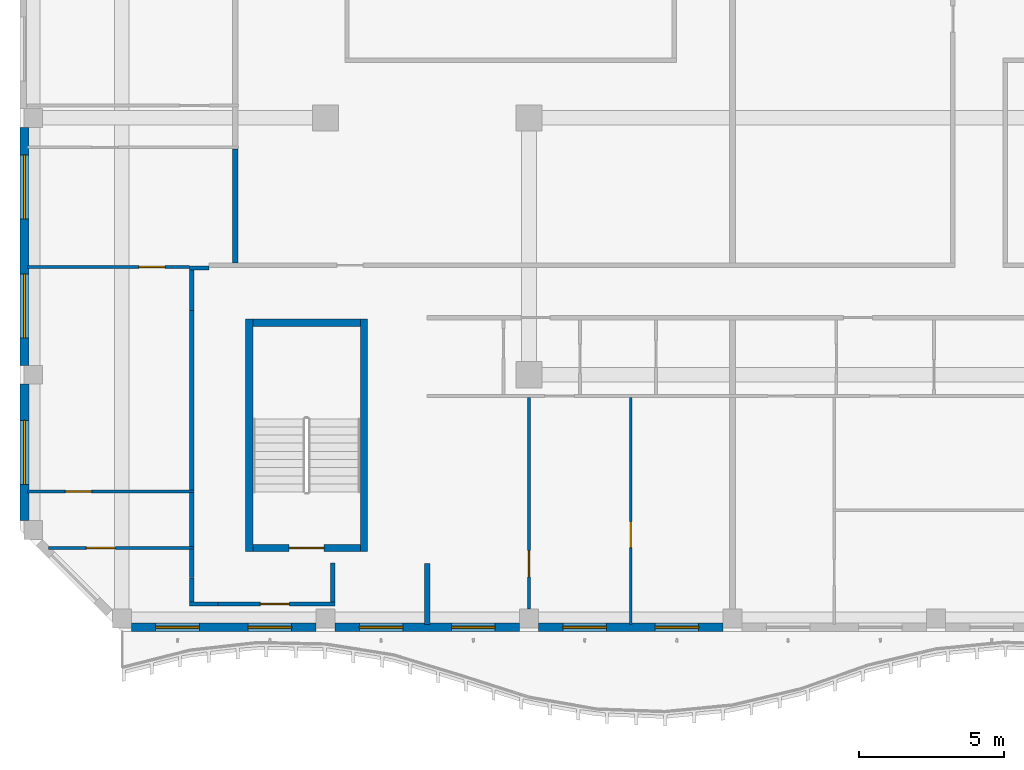
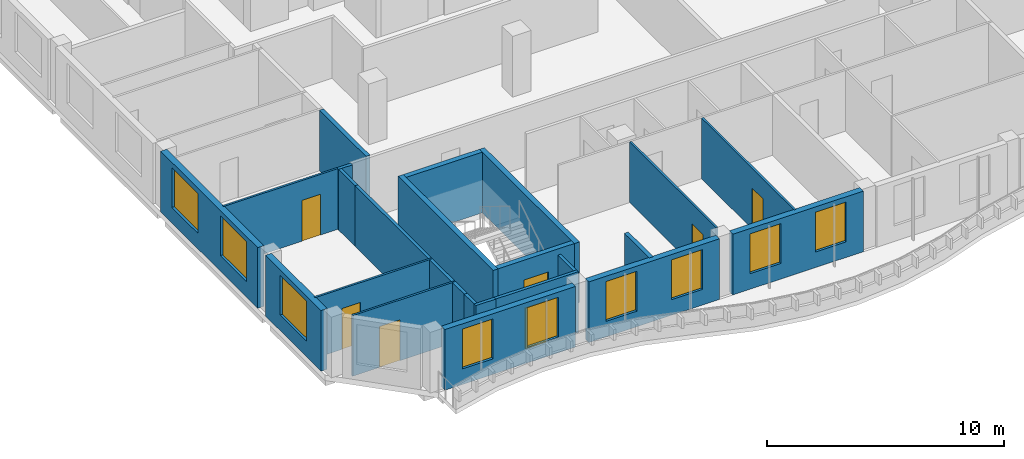
# One storey, part 2 of 16: 25 walls, 9 windows, 7 doors, 16 openings.
"""IFC4 building model written with IfcOpenShell, lengths in metres."""

from ifc_helpers import new_model, si_unit, direction, frame, frame_2d, origin, place, context, subcontext, project, spatial, rectangle, extrude, source, transform, mapped, material, layer, layer_set, type_object, element, fill, save


model = new_model("IFC4")

# Units and contexts
model_context = context("Model", 3, precision=1e-05, world=origin(), true_north=direction((0.0, 1.0)))
body_context = subcontext(model_context, "Body", "Model", "MODEL_VIEW")
ifc_project = project(units=[si_unit("LENGTHUNIT", "METRE"), si_unit("AREAUNIT", "SQUARE_METRE"), si_unit("VOLUMEUNIT", "CUBIC_METRE"), si_unit("PLANEANGLEUNIT", "RADIAN"), si_unit("MASSUNIT", "GRAM", prefix="KILO")], contexts=[model_context])

# Site, building, storey
site_placement = place(None, origin())
site = spatial("IfcSite", under=ifc_project, at=site_placement, CompositionType="ELEMENT")
building_placement = place(site_placement, origin())
building = spatial("IfcBuilding", under=site, at=building_placement, Name="Kilnfold Tower and Market Hall", CompositionType="ELEMENT")
storey_placement = place(building_placement, frame((0.0, 0.0, 284.0)))
storey = spatial("IfcBuildingStorey", under=building, at=storey_placement, Name="L70", CompositionType="ELEMENT", Elevation=284.0)

# Wall
ifc_material_1 = material(Name="Gypsum board on steel studs", Category="steel")
ifc_layer_1 = layer(ifc_material_1, 0.14990234375)
ifc_layer_set_1 = layer_set([ifc_layer_1], Name="Gypsum board on steel studs")
wall_type_1 = type_object("IfcWallType", Name="WALL CORRIDOR 150", PredefinedType="PARTITIONING", material=ifc_layer_set_1)
wall_1_placement = place(storey_placement, frame((-14.75, -17.47509765625, 0.0), z_axis=(0.0, 0.0, 1.0), x_axis=(0.0, 1.0, 0.0)))
element("IfcWall", 1, at=wall_1_placement, inside=storey, type_object=wall_type_1, Name="Partition LY42.1", PredefinedType="PARTITIONING", context=body_context, shape_type="SweptSolid", body=[
    extrude(rectangle(XDim=1.335205078125, YDim=0.14990234375, at=frame_2d((0.66748046875, 0.0))), origin(), (0.0, 0.0, 1.0), 3.1201171875),
])

# Wall, opening, door
wall_2_placement = place(storey_placement, frame((-18.697998046875, -17.550048828125, 0.0), z_axis=(0.0, 0.0, 1.0), x_axis=(1.0, 0.0, 0.0)))
wall_2 = element("IfcWall", 2, at=wall_2_placement, inside=storey, type_object=wall_type_1, Name="Partition LY42.2", PredefinedType="PARTITIONING", context=body_context, shape_type="SweptSolid", body=[
    extrude(rectangle(XDim=4.02294921875, YDim=0.14990234375, at=frame_2d((2.011474609375, 0.0))), origin(), (0.0, 0.0, 1.0), 3.1201171875),
])
opening_1_placement = place(wall_2_placement, frame((1.4599609375, 0.0, 0.0)))
opening_1 = element("IfcOpeningElement", 3, at=opening_1_placement, cuts=wall_2, Name="Opening D1", PredefinedType="OPENING", context=body_context, shape_type="SweptSolid", body=[
    extrude(rectangle(XDim=1.0, YDim=2.10009765625, at=frame_2d((0.5, 1.050048828125))), frame((0.0, 0.0849609375, 0.0), z_axis=(0.0, -1.0, 0.0), x_axis=(1.0, 0.0, 0.0)), (0.0, 0.0, 1.0), 0.169921875),
])
ifc_material_2 = material(Name="Timber veneer door leaf in steel frame", Category="steel")
door_type_1 = type_object("IfcDoorType", Name="DOOR ENTRY 1000 X2100", OperationType="NOTDEFINED", PredefinedType="DOOR", material=ifc_material_2)
door_1_placement = place(opening_1_placement, origin())
door_1 = element("IfcDoor", 4, at=door_1_placement, inside=storey, type_object=door_type_1, Name="Door D1", OperationType="SINGLE_SWING_RIGHT", OverallHeight=2.10009765625, OverallWidth=1.0, PredefinedType="DOOR", context=body_context, shape_type="SweptSolid", body=[
    extrude(rectangle(XDim=1.0, YDim=2.10009765625, at=frame_2d((0.5, 1.050048828125))), frame((0.0, 0.02490234375, 0.0), z_axis=(0.0, -1.0, 0.0), x_axis=(1.0, 0.0, 0.0)), (0.0, 0.0, 1.0), 0.050048828125),
])
fill(opening_1, door_1)

# Walls
wall_3_placement = place(storey_placement, frame((-19.677001953125, -17.552001953125, 0.0), z_axis=(0.0, 0.0, 1.0), x_axis=(1.0, 0.0, 0.0)))
element("IfcWall", 5, at=wall_3_placement, inside=storey, type_object=wall_type_1, Name="Partition LY42.3", PredefinedType="PARTITIONING", context=body_context, shape_type="SweptSolid", body=[
    extrude(rectangle(XDim=0.97900390625, YDim=0.14990234375, at=frame_2d((0.489501953125, 0.0))), origin(), (0.0, 0.0, 1.0), 3.1201171875),
])
wall_4_placement = place(storey_placement, frame((-19.60205078125, -17.47705078125, 0.0), z_axis=(0.0, 0.0, 1.0), x_axis=(0.0, 1.0, 0.0)))
element("IfcWall", 6, at=wall_4_placement, inside=storey, type_object=wall_type_1, Name="Partition LY42.4", PredefinedType="PARTITIONING", context=body_context, shape_type="SweptSolid", body=[
    extrude(rectangle(XDim=0.8291015625, YDim=0.14990234375, at=frame_2d((0.41455078125, 0.0))), origin(), (0.0, 0.0, 1.0), 3.1201171875),
])
wall_5_placement = place(storey_placement, frame((-19.60009765625, -16.64794921875, 0.0), z_axis=(0.0, 0.0, 1.0), x_axis=(0.0, 1.0, 0.0)))
element("IfcWall", 7, at=wall_5_placement, inside=storey, type_object=wall_type_1, Name="Partition LY42.5", PredefinedType="PARTITIONING", context=body_context, shape_type="SweptSolid", body=[
    extrude(rectangle(XDim=0.989990234375, YDim=0.14990234375, at=frame_2d((0.4951171875, 0.0))), origin(), (0.0, 0.0, 1.0), 3.1201171875),
])
wall_6_placement = place(storey_placement, frame((-19.60009765625, -15.577880859375, 0.0), z_axis=(0.0, 0.0, 1.0), x_axis=(0.0, 1.0, 0.0)))
element("IfcWall", 8, at=wall_6_placement, inside=storey, type_object=wall_type_1, Name="Partition LY42.6", PredefinedType="PARTITIONING", context=body_context, shape_type="SweptSolid", body=[
    extrude(rectangle(XDim=1.85498046875, YDim=0.14990234375, at=frame_2d((0.927490234375, 0.0))), origin(), (0.0, 0.0, 1.0), 3.1201171875),
])
wall_7_placement = place(storey_placement, frame((-19.0, -5.99609375, 0.0), z_axis=(0.0, 0.0, 1.0), x_axis=(-1.0, 0.0, 0.0)))
element("IfcWall", 9, at=wall_7_placement, inside=storey, type_object=wall_type_1, Name="Partition LY42.7", PredefinedType="PARTITIONING", context=body_context, shape_type="SweptSolid", body=[
    extrude(rectangle(XDim=0.677001953125, YDim=0.14990234375, at=frame_2d((0.33837890625, 0.0))), origin(), (0.0, 0.0, 1.0), 3.1201171875),
])
wall_8_placement = place(storey_placement, frame((-19.60009765625, -13.64306640625, 0.0), z_axis=(0.0, 0.0, 1.0), x_axis=(0.0, 1.0, 0.0)))
element("IfcWall", 10, at=wall_8_placement, inside=storey, type_object=wall_type_1, Name="Partition LY42.8", PredefinedType="PARTITIONING", context=body_context, shape_type="SweptSolid", body=[
    extrude(rectangle(XDim=6.191162109375, YDim=0.14990234375, at=frame_2d((3.095703125, 0.0))), origin(), (0.0, 0.0, 1.0), 3.1201171875),
])
wall_9_placement = place(storey_placement, frame((-19.60205078125, -7.451904296875, 0.0), z_axis=(0.0, 0.0, 1.0), x_axis=(0.0, 1.0, 0.0)))
element("IfcWall", 11, at=wall_9_placement, inside=storey, type_object=wall_type_1, Name="Partition LY42.9", PredefinedType="PARTITIONING", context=body_context, shape_type="SweptSolid", body=[
    extrude(rectangle(XDim=1.380859375, YDim=0.14990234375, at=frame_2d((0.6904296875, 0.0))), origin(), (0.0, 0.0, 1.0), 3.1201171875),
])

# Wall, opening, door
ifc_material_3 = material(Name="Gypsum board on steel studs", Category="steel")
ifc_layer_2 = layer(ifc_material_3, 0.10009765625)
ifc_layer_set_2 = layer_set([ifc_layer_2], Name="Gypsum board on steel studs")
wall_type_2 = type_object("IfcWallType", Name="WALL PARTITION 100", PredefinedType="PARTITIONING", material=ifc_layer_set_2)
wall_10_placement = place(storey_placement, frame((-19.527099609375, -15.617919921875, 0.0), z_axis=(0.0, 0.0, 1.0), x_axis=(-1.0, 0.0, 0.0)))
wall_10 = element("IfcWall", 12, at=wall_10_placement, inside=storey, type_object=wall_type_2, Name="Partition LY42.33", PredefinedType="PARTITIONING", context=body_context, shape_type="SweptSolid", body=[
    extrude(rectangle(XDim=5.0009765625, YDim=0.10009765625, at=frame_2d((2.50048828125, 0.0))), origin(), (0.0, 0.0, 1.0), 3.1201171875),
])
opening_2_placement = place(wall_10_placement, frame((2.700927734375, 0.0, 0.0)))
opening_2 = element("IfcOpeningElement", 13, at=opening_2_placement, cuts=wall_10, Name="Opening D1", PredefinedType="OPENING", context=body_context, shape_type="SweptSolid", body=[
    extrude(rectangle(XDim=1.0, YDim=2.10009765625, at=frame_2d((0.5, 1.050048828125))), frame((0.0, 0.06005859375, 0.0), z_axis=(0.0, -1.0, 0.0), x_axis=(1.0, 0.0, 0.0)), (0.0, 0.0, 1.0), 0.1201171875),
])
door_2_placement = place(opening_2_placement, origin())
door_2 = element("IfcDoor", 14, at=door_2_placement, inside=storey, type_object=door_type_1, Name="Door D1", OperationType="SINGLE_SWING_RIGHT", OverallHeight=2.10009765625, OverallWidth=1.0, PredefinedType="DOOR", context=body_context, shape_type="SweptSolid", body=[
    extrude(rectangle(XDim=1.0, YDim=2.10009765625, at=frame_2d((0.5, 1.050048828125))), frame((0.0, 0.02490234375, 0.0), z_axis=(0.0, -1.0, 0.0), x_axis=(1.0, 0.0, 0.0)), (0.0, 0.0, 1.0), 0.050048828125),
])
fill(opening_2, door_2)

wall_11_placement = place(storey_placement, frame((-19.527099609375, -13.68310546875, 0.0), z_axis=(0.0, 0.0, 1.0), x_axis=(-1.0, 0.0, 0.0)))
wall_11 = element("IfcWall", 15, at=wall_11_placement, inside=storey, type_object=wall_type_2, Name="Partition LY42.35", PredefinedType="PARTITIONING", context=body_context, shape_type="SweptSolid", body=[
    extrude(rectangle(XDim=5.722900390625, YDim=0.10009765625, at=frame_2d((2.861328125, 0.0))), origin(), (0.0, 0.0, 1.0), 3.1201171875),
])
opening_3_placement = place(wall_11_placement, frame((3.51708984375, 0.0, 0.0)))
opening_3 = element("IfcOpeningElement", 16, at=opening_3_placement, cuts=wall_11, Name="Opening D2", PredefinedType="OPENING", context=body_context, shape_type="SweptSolid", body=[
    extrude(rectangle(XDim=0.89990234375, YDim=2.10009765625, at=frame_2d((0.449951171875, 1.050048828125))), frame((0.0, 0.06005859375, 0.0), z_axis=(0.0, -1.0, 0.0), x_axis=(1.0, 0.0, 0.0)), (0.0, 0.0, 1.0), 0.1201171875),
])
ifc_material_4 = material(Name="Timber veneer door leaf in steel frame", Category="steel")
door_type_2 = type_object("IfcDoorType", Name="DOOR ROOM 900 X2100", OperationType="NOTDEFINED", PredefinedType="DOOR", material=ifc_material_4)
door_3_placement = place(opening_3_placement, origin())
door_3 = element("IfcDoor", 17, at=door_3_placement, inside=storey, type_object=door_type_2, Name="Door D2", OperationType="SINGLE_SWING_RIGHT", OverallHeight=2.10009765625, OverallWidth=0.89990234375, PredefinedType="DOOR", context=body_context, shape_type="SweptSolid", body=[
    extrude(rectangle(XDim=0.89990234375, YDim=2.10009765625, at=frame_2d((0.449951171875, 1.050048828125))), frame((0.0, 0.02490234375, 0.0), z_axis=(0.0, -1.0, 0.0), x_axis=(1.0, 0.0, 0.0)), (0.0, 0.0, 1.0), 0.050048828125),
])
fill(opening_3, door_3)

wall_12_placement = place(storey_placement, frame((-19.677001953125, -5.9580078125, 0.0), z_axis=(0.0, 0.0, 1.0), x_axis=(-1.0, 0.0, 0.0)))
wall_12 = element("IfcWall", 18, at=wall_12_placement, inside=storey, type_object=wall_type_2, Name="Partition LY42.36", PredefinedType="PARTITIONING", context=body_context, shape_type="SweptSolid", body=[
    extrude(rectangle(XDim=5.572998046875, YDim=0.10009765625, at=frame_2d((2.78662109375, 0.0))), origin(), (0.0, 0.0, 1.0), 3.1201171875),
])
opening_4_placement = place(wall_12_placement, frame((0.837890625, 0.0, 0.0)))
opening_4 = element("IfcOpeningElement", 19, at=opening_4_placement, cuts=wall_12, Name="Opening D2", PredefinedType="OPENING", context=body_context, shape_type="SweptSolid", body=[
    extrude(rectangle(XDim=0.89990234375, YDim=2.10009765625, at=frame_2d((0.449951171875, 1.050048828125))), frame((0.0, 0.06005859375, 0.0), z_axis=(0.0, -1.0, 0.0), x_axis=(1.0, 0.0, 0.0)), (0.0, 0.0, 1.0), 0.1201171875),
])
door_4_placement = place(opening_4_placement, origin())
door_4 = element("IfcDoor", 20, at=door_4_placement, inside=storey, type_object=door_type_2, Name="Door D2", OperationType="SINGLE_SWING_RIGHT", OverallHeight=2.10009765625, OverallWidth=0.89990234375, PredefinedType="DOOR", context=body_context, shape_type="SweptSolid", body=[
    extrude(rectangle(XDim=0.89990234375, YDim=2.10009765625, at=frame_2d((0.449951171875, 1.050048828125))), frame((0.0, 0.02490234375, 0.0), z_axis=(0.0, -1.0, 0.0), x_axis=(1.0, 0.0, 0.0)), (0.0, 0.0, 1.0), 0.050048828125),
])
fill(opening_4, door_4)

wall_13_placement = place(storey_placement, frame((-8.0, -17.72509765625, 0.0), z_axis=(0.0, 0.0, 1.0), x_axis=(0.0, 1.0, 0.0)))
wall_13 = element("IfcWall", 21, at=wall_13_placement, inside=storey, type_object=wall_type_2, Name="Partition LY42.51", PredefinedType="PARTITIONING", context=body_context, shape_type="SweptSolid", body=[
    extrude(rectangle(XDim=7.273193359375, YDim=0.10009765625, at=frame_2d((3.63671875, 0.0))), origin(), (0.0, 0.0, 1.0), 3.1201171875),
])
opening_5_placement = place(wall_13_placement, frame((1.111083984375, 0.0, 0.0)))
opening_5 = element("IfcOpeningElement", 22, at=opening_5_placement, cuts=wall_13, Name="Opening D2", PredefinedType="OPENING", context=body_context, shape_type="SweptSolid", body=[
    extrude(rectangle(XDim=0.89990234375, YDim=2.10009765625, at=frame_2d((0.449951171875, 1.050048828125))), frame((0.0, 0.06005859375, 0.0), z_axis=(0.0, -1.0, 0.0), x_axis=(1.0, 0.0, 0.0)), (0.0, 0.0, 1.0), 0.1201171875),
])
door_5_placement = place(opening_5_placement, origin())
door_5 = element("IfcDoor", 23, at=door_5_placement, inside=storey, type_object=door_type_2, Name="Door D2", OperationType="SINGLE_SWING_LEFT", OverallHeight=2.10009765625, OverallWidth=0.89990234375, PredefinedType="DOOR", context=body_context, shape_type="SweptSolid", body=[
    extrude(rectangle(XDim=0.89990234375, YDim=2.10009765625, at=frame_2d((0.449951171875, 1.050048828125))), frame((0.0, 0.02490234375, 0.0), z_axis=(0.0, -1.0, 0.0), x_axis=(1.0, 0.0, 0.0)), (0.0, 0.0, 1.0), 0.050048828125),
])
fill(opening_5, door_5)

wall_14_placement = place(storey_placement, frame((-4.5, -18.25, 0.0), z_axis=(0.0, 0.0, 1.0), x_axis=(0.0, 1.0, 0.0)))
wall_14 = element("IfcWall", 24, at=wall_14_placement, inside=storey, type_object=wall_type_2, Name="Partition LY42.52", PredefinedType="PARTITIONING", context=body_context, shape_type="SweptSolid", body=[
    extrude(rectangle(XDim=7.798095703125, YDim=0.10009765625, at=frame_2d((3.89892578125, 0.0))), origin(), (0.0, 0.0, 1.0), 3.1201171875),
])
opening_6_placement = place(wall_14_placement, frame((2.636962890625, 0.0, 0.0)))
opening_6 = element("IfcOpeningElement", 25, at=opening_6_placement, cuts=wall_14, Name="Opening D2", PredefinedType="OPENING", context=body_context, shape_type="SweptSolid", body=[
    extrude(rectangle(XDim=0.89990234375, YDim=2.10009765625, at=frame_2d((0.449951171875, 1.050048828125))), frame((0.0, 0.06005859375, 0.0), z_axis=(0.0, -1.0, 0.0), x_axis=(1.0, 0.0, 0.0)), (0.0, 0.0, 1.0), 0.1201171875),
])
door_6_placement = place(opening_6_placement, origin())
door_6 = element("IfcDoor", 26, at=door_6_placement, inside=storey, type_object=door_type_2, Name="Door D2", OperationType="SINGLE_SWING_LEFT", OverallHeight=2.10009765625, OverallWidth=0.89990234375, PredefinedType="DOOR", context=body_context, shape_type="SweptSolid", body=[
    extrude(rectangle(XDim=0.89990234375, YDim=2.10009765625, at=frame_2d((0.449951171875, 1.050048828125))), frame((0.0, 0.02490234375, 0.0), z_axis=(0.0, -1.0, 0.0), x_axis=(1.0, 0.0, 0.0)), (0.0, 0.0, 1.0), 0.050048828125),
])
fill(opening_6, door_6)

# Walls
ifc_material_5 = material(Name="Gypsum board on steel studs", Category="steel")
ifc_layer_3 = layer(ifc_material_5, 0.199951171875)
ifc_layer_set_3 = layer_set([ifc_layer_3], Name="Gypsum board on steel studs")
wall_type_3 = type_object("IfcWallType", Name="WALL PARTY 200", PredefinedType="PARTITIONING", material=ifc_layer_set_3)
wall_15_placement = place(storey_placement, frame((-11.5, -18.25, 0.0), z_axis=(0.0, 0.0, 1.0), x_axis=(0.0, 1.0, 0.0)))
element("IfcWall", 27, at=wall_15_placement, inside=storey, type_object=wall_type_3, Name="Partition LY42.34", PredefinedType="PARTITIONING", context=body_context, shape_type="SweptSolid", body=[
    extrude(rectangle(XDim=2.10009765625, YDim=0.199951171875, at=frame_2d((1.050048828125, 0.0))), origin(), (0.0, 0.0, 1.0), 3.1201171875),
])
wall_16_placement = place(storey_placement, frame((-18.10009765625, -5.822998046875, 0.0), z_axis=(0.0, 0.0, 1.0), x_axis=(0.0, 1.0, 0.0)))
element("IfcWall", 28, at=wall_16_placement, inside=storey, type_object=wall_type_3, Name="Partition LY42.38", PredefinedType="PARTITIONING", context=body_context, shape_type="SweptSolid", body=[
    extrude(rectangle(XDim=3.930908203125, YDim=0.199951171875, at=frame_2d((1.96533203125, 0.0))), origin(), (0.0, 0.0, 1.0), 3.1201171875),
])

# Wall, opening, door
ifc_material_6 = material(Name="Concrete C50", Category="concrete")
ifc_layer_4 = layer(ifc_material_6, 0.25)
ifc_layer_set_4 = layer_set([ifc_layer_4], Name="Concrete C50")
wall_type_4 = type_object("IfcWallType", Name="CORE WALL 250 C50", PredefinedType="SHEAR", material=ifc_layer_set_4)
shared_shape_1 = source(origin(), body_context, "Body", "SweptSolid", [
    extrude(rectangle(XDim=3.699951171875, YDim=0.25, at=frame_2d((1.85009765625, 0.0))), origin(), (0.0, 0.0, 1.0), 3.1201171875),
])
wall_17_placement = place(storey_placement, frame((-17.5, -15.625, 0.0), z_axis=(0.0, 0.0, 1.0), x_axis=(1.0, 0.0, 0.0)))
wall_17 = element("IfcWall", 29, at=wall_17_placement, inside=storey, type_object=wall_type_4, Name="Stair enclosure ST3", PredefinedType="SHEAR", context=body_context, shape_type="MappedRepresentation", body=[
    mapped(shared_shape_1, transform((0.0, 0.0, 0.0))),
])
opening_7_placement = place(wall_17_placement, frame((1.25, 0.0, 0.0)))
opening_7 = element("IfcOpeningElement", 30, at=opening_7_placement, cuts=wall_17, Name="Opening SD1", PredefinedType="OPENING", context=body_context, shape_type="SweptSolid", body=[
    extrude(rectangle(XDim=1.199951171875, YDim=2.10009765625, at=frame_2d((0.60009765625, 1.050048828125))), frame((0.0, 0.135009765625, 0.0), z_axis=(0.0, -1.0, 0.0), x_axis=(1.0, 0.0, 0.0)), (0.0, 0.0, 1.0), 0.27001953125),
])
ifc_material_7 = material(Name="Steel door set with fire-resisting leaf", Category="steel")
door_type_3 = type_object("IfcDoorType", Name="STAIR FLOOR DOOR 1200X2100", OperationType="NOTDEFINED", PredefinedType="DOOR", material=ifc_material_7)
door_7_placement = place(opening_7_placement, origin())
door_7 = element("IfcDoor", 31, at=door_7_placement, inside=storey, type_object=door_type_3, Name="Exit stair ST3 door", OperationType="DOUBLE_DOOR_SINGLE_SWING", OverallHeight=2.10009765625, OverallWidth=1.199951171875, PredefinedType="DOOR", context=body_context, shape_type="SweptSolid", body=[
    extrude(rectangle(XDim=1.199951171875, YDim=2.10009765625, at=frame_2d((0.60009765625, 1.050048828125))), frame((0.0, 0.02490234375, 0.0), z_axis=(0.0, -1.0, 0.0), x_axis=(1.0, 0.0, 0.0)), (0.0, 0.0, 1.0), 0.050048828125),
])
fill(opening_7, door_7)

# Walls
wall_18_placement = place(storey_placement, frame((-17.5, -7.875, 0.0), z_axis=(0.0, 0.0, 1.0), x_axis=(1.0, 0.0, 0.0)))
element("IfcWall", 32, at=wall_18_placement, inside=storey, type_object=wall_type_4, Name="Stair enclosure ST3", PredefinedType="SHEAR", context=body_context, shape_type="MappedRepresentation", body=[
    mapped(shared_shape_1, transform((0.0, 0.0, 0.0))),
])
shared_shape_2 = source(origin(), body_context, "Body", "SweptSolid", [
    extrude(rectangle(XDim=8.0, YDim=0.25, at=frame_2d((4.0, 0.0))), origin(), (0.0, 0.0, 1.0), 3.1201171875),
])
for number, where, z_axis, x_axis, name in (
    (33, (-17.625, -15.75, 0.0), (0.0, 0.0, 1.0), (0.0, 1.0, 0.0), "Stair enclosure ST3"),
    (34, (-13.675048828125, -15.75, 0.0), (0.0, 0.0, 1.0), (0.0, 1.0, 0.0), "Stair enclosure ST3"),
):
    element("IfcWall", number, at=place(storey_placement, frame(where, z_axis=z_axis, x_axis=x_axis)), inside=storey, type_object=wall_type_4, Name=name, PredefinedType="SHEAR", context=body_context, shape_type="MappedRepresentation", body=[
        mapped(shared_shape_2, transform((0.0, 0.0, 0.0))),
    ])

# Wall, openings, windows
ifc_material_8 = material(Name="Precast concrete C50/60", Category="concrete")
ifc_layer_5 = layer(ifc_material_8, 0.300048828125)
ifc_layer_set_5 = layer_set([ifc_layer_5], Name="Precast concrete C50/60")
wall_type_5 = type_object("IfcWallType", Name="PRECAST WALL 300", PredefinedType="SOLIDWALL", material=ifc_layer_set_5)
shared_shape_3 = source(origin(), body_context, "Body", "SweptSolid", [
    extrude(rectangle(XDim=6.35009765625, YDim=0.300048828125, at=frame_2d((3.175048828125, 0.0))), origin(), (0.0, 0.0, 1.0), 3.1201171875),
])
wall_19_placement = place(storey_placement, frame((-21.675048828125, -18.35009765625, 0.0), z_axis=(0.0, 0.0, 1.0), x_axis=(1.0, 0.0, 0.0)))
wall_19 = element("IfcWall", 35, at=wall_19_placement, inside=storey, type_object=wall_type_5, Name="External wall L70 S", PredefinedType="SOLIDWALL", context=body_context, shape_type="MappedRepresentation", body=[
    mapped(shared_shape_3, transform((0.0, 0.0, 0.0))),
])
opening_8_placement = place(wall_19_placement, frame((0.83740234375, 0.0, 0.800048828125)))
opening_8 = element("IfcOpeningElement", 36, at=opening_8_placement, cuts=wall_19, Name="Opening W5", PredefinedType="OPENING", context=body_context, shape_type="SweptSolid", body=[
    extrude(rectangle(XDim=1.5, YDim=2.050048828125, at=frame_2d((0.75, 1.02490234375))), frame((0.0, 0.16015625, 0.0), z_axis=(0.0, -1.0, 0.0), x_axis=(1.0, 0.0, 0.0)), (0.0, 0.0, 1.0), 0.320068359375),
])
opening_9_placement = place(wall_19_placement, frame((4.012451171875, 0.0, 0.800048828125)))
opening_9 = element("IfcOpeningElement", 37, at=opening_9_placement, cuts=wall_19, Name="Opening W5", PredefinedType="OPENING", context=body_context, shape_type="SweptSolid", body=[
    extrude(rectangle(XDim=1.5, YDim=2.050048828125, at=frame_2d((0.75, 1.02490234375))), frame((0.0, 0.16015625, 0.0), z_axis=(0.0, -1.0, 0.0), x_axis=(1.0, 0.0, 0.0)), (0.0, 0.0, 1.0), 0.320068359375),
])
ifc_material_9 = material(Name="Aluminium frame and double glazing", Category="aluminium")
window_type_1 = type_object("IfcWindowType", Name="WINDOW W5 1500X2050", PartitioningType="SINGLE_PANEL", PredefinedType="WINDOW", material=ifc_material_9)
window_1_placement = place(opening_8_placement, origin())
window_1 = element("IfcWindow", 38, at=window_1_placement, inside=storey, type_object=window_type_1, Name="Window W5 L70 S-1", OverallHeight=2.050048828125, OverallWidth=1.5, PartitioningType="SINGLE_PANEL", PredefinedType="WINDOW", context=body_context, shape_type="SweptSolid", body=[
    extrude(rectangle(XDim=1.5, YDim=2.050048828125, at=frame_2d((0.75, 1.02490234375))), frame((0.0, 0.030029296875, 0.0), z_axis=(0.0, -1.0, 0.0), x_axis=(1.0, 0.0, 0.0)), (0.0, 0.0, 1.0), 0.06005859375),
])
fill(opening_8, window_1)
window_2_placement = place(opening_9_placement, origin())
window_2 = element("IfcWindow", 39, at=window_2_placement, inside=storey, type_object=window_type_1, Name="Window W5 L70 S-2", OverallHeight=2.050048828125, OverallWidth=1.5, PartitioningType="SINGLE_PANEL", PredefinedType="WINDOW", context=body_context, shape_type="SweptSolid", body=[
    extrude(rectangle(XDim=1.5, YDim=2.050048828125, at=frame_2d((0.75, 1.02490234375))), frame((0.0, 0.030029296875, 0.0), z_axis=(0.0, -1.0, 0.0), x_axis=(1.0, 0.0, 0.0)), (0.0, 0.0, 1.0), 0.06005859375),
])
fill(opening_9, window_2)

wall_20_placement = place(storey_placement, frame((-14.675048828125, -18.35009765625, 0.0), z_axis=(0.0, 0.0, 1.0), x_axis=(1.0, 0.0, 0.0)))
wall_20 = element("IfcWall", 40, at=wall_20_placement, inside=storey, type_object=wall_type_5, Name="External wall L70 S", PredefinedType="SOLIDWALL", context=body_context, shape_type="MappedRepresentation", body=[
    mapped(shared_shape_3, transform((0.0, 0.0, 0.0))),
])
opening_10_placement = place(wall_20_placement, frame((0.83740234375, 0.0, 0.800048828125)))
opening_10 = element("IfcOpeningElement", 41, at=opening_10_placement, cuts=wall_20, Name="Opening W5", PredefinedType="OPENING", context=body_context, shape_type="SweptSolid", body=[
    extrude(rectangle(XDim=1.5, YDim=2.050048828125, at=frame_2d((0.75, 1.02490234375))), frame((0.0, 0.16015625, 0.0), z_axis=(0.0, -1.0, 0.0), x_axis=(1.0, 0.0, 0.0)), (0.0, 0.0, 1.0), 0.320068359375),
])
opening_11_placement = place(wall_20_placement, frame((4.012451171875, 0.0, 0.800048828125)))
opening_11 = element("IfcOpeningElement", 42, at=opening_11_placement, cuts=wall_20, Name="Opening W5", PredefinedType="OPENING", context=body_context, shape_type="SweptSolid", body=[
    extrude(rectangle(XDim=1.5, YDim=2.050048828125, at=frame_2d((0.75, 1.02490234375))), frame((0.0, 0.16015625, 0.0), z_axis=(0.0, -1.0, 0.0), x_axis=(1.0, 0.0, 0.0)), (0.0, 0.0, 1.0), 0.320068359375),
])
window_3_placement = place(opening_10_placement, origin())
window_3 = element("IfcWindow", 43, at=window_3_placement, inside=storey, type_object=window_type_1, Name="Window W5 L70 S-1", OverallHeight=2.050048828125, OverallWidth=1.5, PartitioningType="SINGLE_PANEL", PredefinedType="WINDOW", context=body_context, shape_type="SweptSolid", body=[
    extrude(rectangle(XDim=1.5, YDim=2.050048828125, at=frame_2d((0.75, 1.02490234375))), frame((0.0, 0.030029296875, 0.0), z_axis=(0.0, -1.0, 0.0), x_axis=(1.0, 0.0, 0.0)), (0.0, 0.0, 1.0), 0.06005859375),
])
fill(opening_10, window_3)
window_4_placement = place(opening_11_placement, origin())
window_4 = element("IfcWindow", 44, at=window_4_placement, inside=storey, type_object=window_type_1, Name="Window W5 L70 S-2", OverallHeight=2.050048828125, OverallWidth=1.5, PartitioningType="SINGLE_PANEL", PredefinedType="WINDOW", context=body_context, shape_type="SweptSolid", body=[
    extrude(rectangle(XDim=1.5, YDim=2.050048828125, at=frame_2d((0.75, 1.02490234375))), frame((0.0, 0.030029296875, 0.0), z_axis=(0.0, -1.0, 0.0), x_axis=(1.0, 0.0, 0.0)), (0.0, 0.0, 1.0), 0.06005859375),
])
fill(opening_11, window_4)

wall_21_placement = place(storey_placement, frame((-7.675048828125, -18.35009765625, 0.0), z_axis=(0.0, 0.0, 1.0), x_axis=(1.0, 0.0, 0.0)))
wall_21 = element("IfcWall", 45, at=wall_21_placement, inside=storey, type_object=wall_type_5, Name="External wall L70 S", PredefinedType="SOLIDWALL", context=body_context, shape_type="MappedRepresentation", body=[
    mapped(shared_shape_3, transform((0.0, 0.0, 0.0))),
])
opening_12_placement = place(wall_21_placement, frame((0.83740234375, 0.0, 0.800048828125)))
opening_12 = element("IfcOpeningElement", 46, at=opening_12_placement, cuts=wall_21, Name="Opening W5", PredefinedType="OPENING", context=body_context, shape_type="SweptSolid", body=[
    extrude(rectangle(XDim=1.5, YDim=2.050048828125, at=frame_2d((0.75, 1.02490234375))), frame((0.0, 0.16015625, 0.0), z_axis=(0.0, -1.0, 0.0), x_axis=(1.0, 0.0, 0.0)), (0.0, 0.0, 1.0), 0.320068359375),
])
opening_13_placement = place(wall_21_placement, frame((4.012451171875, 0.0, 0.800048828125)))
opening_13 = element("IfcOpeningElement", 47, at=opening_13_placement, cuts=wall_21, Name="Opening W5", PredefinedType="OPENING", context=body_context, shape_type="SweptSolid", body=[
    extrude(rectangle(XDim=1.5, YDim=2.050048828125, at=frame_2d((0.75, 1.02490234375))), frame((0.0, 0.16015625, 0.0), z_axis=(0.0, -1.0, 0.0), x_axis=(1.0, 0.0, 0.0)), (0.0, 0.0, 1.0), 0.320068359375),
])
window_5_placement = place(opening_12_placement, origin())
window_5 = element("IfcWindow", 48, at=window_5_placement, inside=storey, type_object=window_type_1, Name="Window W5 L70 S-1", OverallHeight=2.050048828125, OverallWidth=1.5, PartitioningType="SINGLE_PANEL", PredefinedType="WINDOW", context=body_context, shape_type="SweptSolid", body=[
    extrude(rectangle(XDim=1.5, YDim=2.050048828125, at=frame_2d((0.75, 1.02490234375))), frame((0.0, 0.030029296875, 0.0), z_axis=(0.0, -1.0, 0.0), x_axis=(1.0, 0.0, 0.0)), (0.0, 0.0, 1.0), 0.06005859375),
])
fill(opening_12, window_5)
window_6_placement = place(opening_13_placement, origin())
window_6 = element("IfcWindow", 49, at=window_6_placement, inside=storey, type_object=window_type_1, Name="Window W5 L70 S-2", OverallHeight=2.050048828125, OverallWidth=1.5, PartitioningType="SINGLE_PANEL", PredefinedType="WINDOW", context=body_context, shape_type="SweptSolid", body=[
    extrude(rectangle(XDim=1.5, YDim=2.050048828125, at=frame_2d((0.75, 1.02490234375))), frame((0.0, 0.030029296875, 0.0), z_axis=(0.0, -1.0, 0.0), x_axis=(1.0, 0.0, 0.0)), (0.0, 0.0, 1.0), 0.06005859375),
])
fill(opening_13, window_6)

shared_shape_4 = source(origin(), body_context, "Body", "SweptSolid", [
    extrude(rectangle(XDim=8.18359375, YDim=0.300048828125, at=frame_2d((4.091796875, 0.0))), origin(), (0.0, 0.0, 1.0), 3.1201171875),
])
wall_22_placement = place(storey_placement, frame((-25.35009765625, -1.158203125, 0.0), z_axis=(0.0, 0.0, 1.0), x_axis=(0.0, -1.0, 0.0)))
wall_22 = element("IfcWall", 50, at=wall_22_placement, inside=storey, type_object=wall_type_5, Name="External wall L70 W", PredefinedType="SOLIDWALL", context=body_context, shape_type="MappedRepresentation", body=[
    mapped(shared_shape_4, transform((0.0, 0.0, 0.0))),
])
opening_14_placement = place(wall_22_placement, frame((0.94580078125, 0.0, 0.800048828125)))
opening_14 = element("IfcOpeningElement", 51, at=opening_14_placement, cuts=wall_22, Name="Opening W3", PredefinedType="OPENING", context=body_context, shape_type="SweptSolid", body=[
    extrude(rectangle(XDim=2.199951171875, YDim=2.050048828125, at=frame_2d((1.10009765625, 1.02490234375))), frame((0.0, 0.16015625, 0.0), z_axis=(0.0, -1.0, 0.0), x_axis=(1.0, 0.0, 0.0)), (0.0, 0.0, 1.0), 0.320068359375),
])
opening_15_placement = place(wall_22_placement, frame((5.03759765625, 0.0, 0.800048828125)))
opening_15 = element("IfcOpeningElement", 52, at=opening_15_placement, cuts=wall_22, Name="Opening W3", PredefinedType="OPENING", context=body_context, shape_type="SweptSolid", body=[
    extrude(rectangle(XDim=2.199951171875, YDim=2.050048828125, at=frame_2d((1.10009765625, 1.02490234375))), frame((0.0, 0.16015625, 0.0), z_axis=(0.0, -1.0, 0.0), x_axis=(1.0, 0.0, 0.0)), (0.0, 0.0, 1.0), 0.320068359375),
])
ifc_material_10 = material(Name="Aluminium frame and double glazing", Category="aluminium")
window_type_2 = type_object("IfcWindowType", Name="WINDOW W3 2200X2050", PartitioningType="SINGLE_PANEL", PredefinedType="WINDOW", material=ifc_material_10)
window_7_placement = place(opening_14_placement, origin())
window_7 = element("IfcWindow", 53, at=window_7_placement, inside=storey, type_object=window_type_2, Name="Window W3 L70 W-1", OverallHeight=2.050048828125, OverallWidth=2.199951171875, PartitioningType="SINGLE_PANEL", PredefinedType="WINDOW", context=body_context, shape_type="SweptSolid", body=[
    extrude(rectangle(XDim=2.199951171875, YDim=2.050048828125, at=frame_2d((1.10009765625, 1.02490234375))), frame((0.0, 0.030029296875, 0.0), z_axis=(0.0, -1.0, 0.0), x_axis=(1.0, 0.0, 0.0)), (0.0, 0.0, 1.0), 0.06005859375),
])
fill(opening_14, window_7)
window_8_placement = place(opening_15_placement, origin())
window_8 = element("IfcWindow", 54, at=window_8_placement, inside=storey, type_object=window_type_2, Name="Window W3 L70 W-2", OverallHeight=2.050048828125, OverallWidth=2.199951171875, PartitioningType="SINGLE_PANEL", PredefinedType="WINDOW", context=body_context, shape_type="SweptSolid", body=[
    extrude(rectangle(XDim=2.199951171875, YDim=2.050048828125, at=frame_2d((1.10009765625, 1.02490234375))), frame((0.0, 0.030029296875, 0.0), z_axis=(0.0, -1.0, 0.0), x_axis=(1.0, 0.0, 0.0)), (0.0, 0.0, 1.0), 0.06005859375),
])
fill(opening_15, window_8)

# Wall, opening, window
shared_shape_5 = source(origin(), body_context, "Body", "SweptSolid", [
    extrude(rectangle(XDim=4.683349609375, YDim=0.300048828125, at=frame_2d((2.341796875, 0.0))), origin(), (0.0, 0.0, 1.0), 3.1201171875),
])
wall_23_placement = place(storey_placement, frame((-25.35009765625, -9.99169921875, 0.0), z_axis=(0.0, 0.0, 1.0), x_axis=(0.0, -1.0, 0.0)))
wall_23 = element("IfcWall", 55, at=wall_23_placement, inside=storey, type_object=wall_type_5, Name="External wall L70 W", PredefinedType="SOLIDWALL", context=body_context, shape_type="MappedRepresentation", body=[
    mapped(shared_shape_5, transform((0.0, 0.0, 0.0))),
])
opening_16_placement = place(wall_23_placement, frame((1.24169921875, 0.0, 0.800048828125)))
opening_16 = element("IfcOpeningElement", 56, at=opening_16_placement, cuts=wall_23, Name="Opening W3", PredefinedType="OPENING", context=body_context, shape_type="SweptSolid", body=[
    extrude(rectangle(XDim=2.199951171875, YDim=2.050048828125, at=frame_2d((1.10009765625, 1.02490234375))), frame((0.0, 0.16015625, 0.0), z_axis=(0.0, -1.0, 0.0), x_axis=(1.0, 0.0, 0.0)), (0.0, 0.0, 1.0), 0.320068359375),
])
window_9_placement = place(opening_16_placement, origin())
window_9 = element("IfcWindow", 57, at=window_9_placement, inside=storey, type_object=window_type_2, Name="Window W3 L70 W-1", OverallHeight=2.050048828125, OverallWidth=2.199951171875, PartitioningType="SINGLE_PANEL", PredefinedType="WINDOW", context=body_context, shape_type="SweptSolid", body=[
    extrude(rectangle(XDim=2.199951171875, YDim=2.050048828125, at=frame_2d((1.10009765625, 1.02490234375))), frame((0.0, 0.030029296875, 0.0), z_axis=(0.0, -1.0, 0.0), x_axis=(1.0, 0.0, 0.0)), (0.0, 0.0, 1.0), 0.06005859375),
])
fill(opening_16, window_9)

save(model, "model.ifc")
